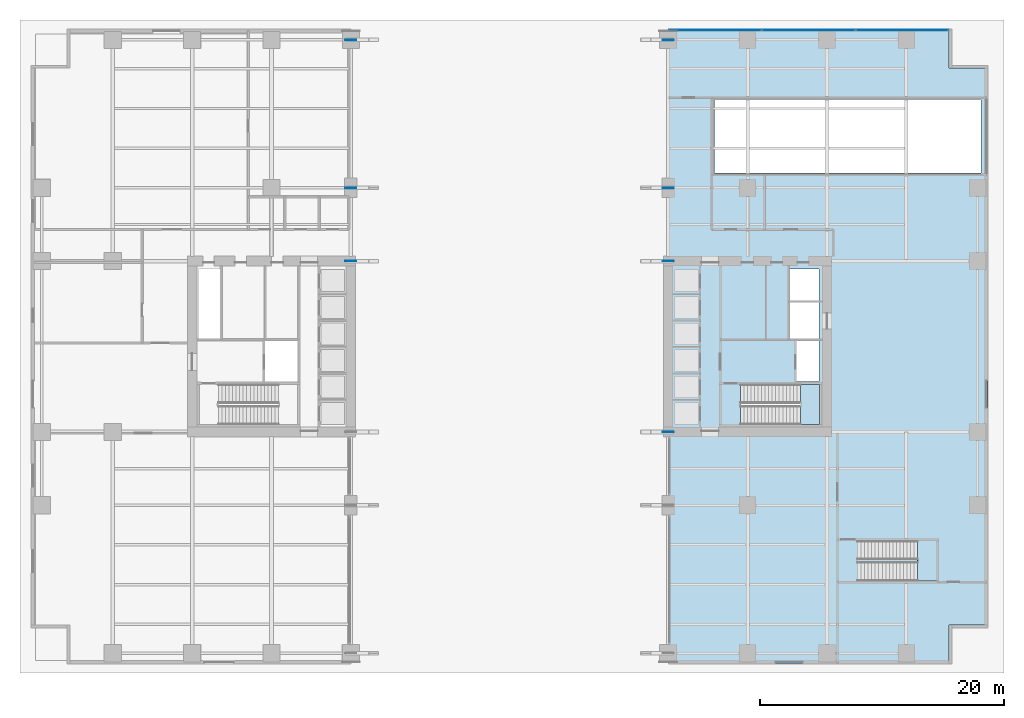
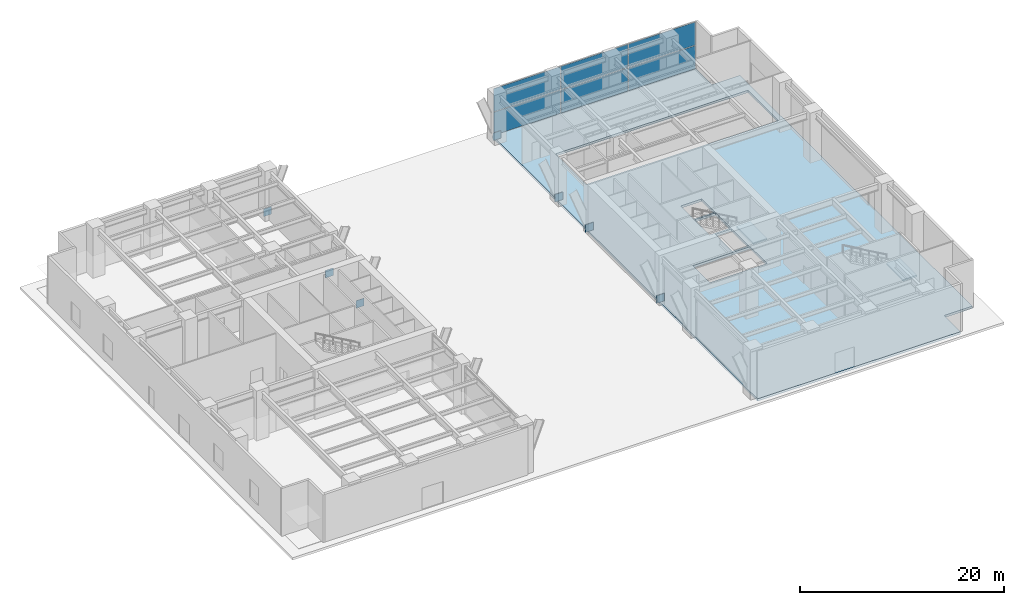
# One storey, part 11 of 20: 13 plates, 3 slabs, 3 elements without a shape of their own.
"""IFC4 building model written with IfcOpenShell, lengths in metres."""

from ifc_helpers import new_model, si_unit, direction, frame, origin, origin_2d, place, context, subcontext, project, spatial, polyline, rectangle, outline, extrude, material, layer, layer_set, type_object, element, aggregate, save


model = new_model("IFC4")

# Units and contexts
model_context = context("Model", 3, precision=1e-05, world=origin(), true_north=direction((0.0, 1.0)))
body_context = subcontext(model_context, "Body", "Model", "MODEL_VIEW")
ifc_project = project(units=[si_unit("LENGTHUNIT", "METRE"), si_unit("AREAUNIT", "SQUARE_METRE"), si_unit("VOLUMEUNIT", "CUBIC_METRE"), si_unit("PLANEANGLEUNIT", "RADIAN"), si_unit("MASSUNIT", "GRAM", prefix="KILO")], contexts=[model_context])

# Site, building, storey
site_placement = place(None, origin())
site = spatial("IfcSite", under=ifc_project, at=site_placement, CompositionType="ELEMENT")
building_placement = place(site_placement, origin())
building = spatial("IfcBuilding", under=site, at=building_placement, Name="Putna Gate Headquarters", CompositionType="ELEMENT")
storey_placement = place(building_placement, origin())
storey = spatial("IfcBuildingStorey", under=building, at=storey_placement, Name="L00", CompositionType="ELEMENT", Elevation=0.0)

# Stair, slab
ifc_material_1 = material(Name="Concrete C40/50", Category="concrete")
stair_type_1 = type_object("IfcStairType", Name="STAIR-ST2", PredefinedType="HALF_TURN_STAIR", material=ifc_material_1)
stair_1_placement = place(storey_placement, origin())
stair_1 = element("IfcStair", 1, at=stair_1_placement, inside=storey, type_object=stair_type_1, Name="L00 East Core Exit Stair ST2", PredefinedType="HALF_TURN_STAIR")
ifc_layer_1 = layer(ifc_material_1, 0.199951171875)
ifc_layer_set_1 = layer_set([ifc_layer_1], Name="Concrete C40/50")
slab_type_1 = type_object("IfcSlabType", Name="LANDING-ST2", PredefinedType="LANDING", material=ifc_layer_set_1)
slab_1_placement = place(storey_placement, frame((0.0, 0.0, 2.800048828125)))
slab_1 = element("IfcSlab", 2, at=slab_1_placement, type_object=slab_type_1, Name="ST2 landing 1", PredefinedType="LANDING", context=body_context, shape_type="SweptSolid", body=[
    extrude(outline(polyline([(62.830078125, 19.60009765625), (64.39990234375, 19.60009765625), (64.39990234375, 22.89990234375), (62.830078125, 22.89990234375), (62.830078125, 19.60009765625)])), origin(), (0.0, 0.0, 1.0), 0.199951171875),
])
aggregate(stair_1, [slab_1])

stair_type_2 = type_object("IfcStairType", Name="STAIR-ST3", PredefinedType="HALF_TURN_STAIR", material=ifc_material_1)
stair_2_placement = place(storey_placement, origin())
stair_2 = element("IfcStair", 3, at=stair_2_placement, inside=storey, type_object=stair_type_2, Name="L00 Podium Escape Stair ST3", PredefinedType="HALF_TURN_STAIR")
ifc_layer_2 = layer(ifc_material_1, 0.199951171875)
ifc_layer_set_2 = layer_set([ifc_layer_2], Name="Concrete C40/50")
slab_type_2 = type_object("IfcSlabType", Name="LANDING-ST3", PredefinedType="LANDING", material=ifc_layer_set_2)
slab_2_placement = place(storey_placement, frame((0.0, 0.0, 2.800048828125)))
slab_2 = element("IfcSlab", 4, at=slab_2_placement, type_object=slab_type_2, Name="ST3 landing 1", PredefinedType="LANDING", context=body_context, shape_type="SweptSolid", body=[
    extrude(outline(polyline([(72.429931640625, 6.800048828125), (74.0, 6.800048828125), (74.0, 10.10009765625), (72.429931640625, 10.10009765625), (72.429931640625, 6.800048828125)])), origin(), (0.0, 0.0, 1.0), 0.199951171875),
])
aggregate(stair_2, [slab_2])

# Curtain wall, plates
ifc_material_2 = material(Name="Anodised bronze aluminium curtain wall", Category="aluminium")
ifc_layer_3 = layer(ifc_material_2, 0.179931640625)
ifc_layer_set_3 = layer_set([ifc_layer_3], Name="Anodised bronze aluminium curtain wall")
curtain_wall_type = type_object("IfcCurtainWallType", Name="CW-SYS-POD", PredefinedType="USERDEFINED", material=ifc_layer_set_3)
curtain_wall_placement = place(storey_placement, origin())
curtain_wall = element("IfcCurtainWall", 5, at=curtain_wall_placement, inside=storey, type_object=curtain_wall_type, Name="L00 North East Curtain Wall", ObjectType="STICK CURTAIN WALL", PredefinedType="USERDEFINED")
ifc_material_3 = material(Name="Solar-control triple low-E glass", Category="glass")
ifc_layer_4 = layer(ifc_material_3, 0.035888671875)
ifc_layer_set_4 = layer_set([ifc_layer_4], Name="Solar-control triple low-E glass")
plate_type_1 = type_object("IfcPlateType", Name="PAN-CWP-P", PredefinedType="CURTAIN_PANEL", material=ifc_layer_set_4)
plate_1_placement = place(storey_placement, frame((55.850830078125, 51.919921875, 0.070068359375), z_axis=(0.0, 0.0, 1.0), x_axis=(1.0, 0.0, 0.0)))
plate_1 = element("IfcPlate", 6, at=plate_1_placement, type_object=plate_type_1, Name="CWS-P panel 1.1", PredefinedType="CURTAIN_PANEL", context=body_context, shape_type="SweptSolid", body=[
    extrude(rectangle(XDim=7.561767578125, YDim=0.035888671875, at=origin_2d()), origin(), (0.0, 0.0, 1.0), 2.7548828125),
])
plate_2_placement = place(storey_placement, frame((55.850830078125, 51.919921875, 2.89501953125), z_axis=(0.0, 0.0, 1.0), x_axis=(1.0, 0.0, 0.0)))
plate_2 = element("IfcPlate", 7, at=plate_2_placement, type_object=plate_type_1, Name="CWS-P panel 1.2", PredefinedType="CURTAIN_PANEL", context=body_context, shape_type="SweptSolid", body=[
    extrude(rectangle(XDim=7.561767578125, YDim=0.035888671875, at=origin_2d()), origin(), (0.0, 0.0, 1.0), 2.7548828125),
])
plate_3_placement = place(storey_placement, frame((63.5, 51.919921875, 0.070068359375), z_axis=(0.0, 0.0, 1.0), x_axis=(1.0, 0.0, 0.0)))
plate_3 = element("IfcPlate", 8, at=plate_3_placement, type_object=plate_type_1, Name="CWS-P panel 2.1", PredefinedType="CURTAIN_PANEL", context=body_context, shape_type="SweptSolid", body=[
    extrude(rectangle(XDim=7.5966796875, YDim=0.035888671875, at=origin_2d()), origin(), (0.0, 0.0, 1.0), 2.7548828125),
])
plate_4_placement = place(storey_placement, frame((63.5, 51.919921875, 2.89501953125), z_axis=(0.0, 0.0, 1.0), x_axis=(1.0, 0.0, 0.0)))
plate_4 = element("IfcPlate", 9, at=plate_4_placement, type_object=plate_type_1, Name="CWS-P panel 2.2", PredefinedType="CURTAIN_PANEL", context=body_context, shape_type="SweptSolid", body=[
    extrude(rectangle(XDim=7.5966796875, YDim=0.035888671875, at=origin_2d()), origin(), (0.0, 0.0, 1.0), 2.7548828125),
])
plate_5_placement = place(storey_placement, frame((71.149169921875, 51.919921875, 0.070068359375), z_axis=(0.0, 0.0, 1.0), x_axis=(1.0, 0.0, 0.0)))
plate_5 = element("IfcPlate", 10, at=plate_5_placement, type_object=plate_type_1, Name="CWS-P panel 3.1", PredefinedType="CURTAIN_PANEL", context=body_context, shape_type="SweptSolid", body=[
    extrude(rectangle(XDim=7.561767578125, YDim=0.035888671875, at=origin_2d()), origin(), (0.0, 0.0, 1.0), 2.7548828125),
])
plate_6_placement = place(storey_placement, frame((71.149169921875, 51.919921875, 2.89501953125), z_axis=(0.0, 0.0, 1.0), x_axis=(1.0, 0.0, 0.0)))
plate_6 = element("IfcPlate", 11, at=plate_6_placement, type_object=plate_type_1, Name="CWS-P panel 3.2", PredefinedType="CURTAIN_PANEL", context=body_context, shape_type="SweptSolid", body=[
    extrude(rectangle(XDim=7.561767578125, YDim=0.035888671875, at=origin_2d()), origin(), (0.0, 0.0, 1.0), 2.7548828125),
])
aggregate(curtain_wall, [plate_1, plate_2, plate_3, plate_4, plate_5, plate_6])

# Plates
ifc_material_4 = material(Name="Steel S460M", Category="steel")
ifc_layer_5 = layer(ifc_material_4, 0.0400390625)
ifc_layer_set_5 = layer_set([ifc_layer_5], Name="Steel S460M")
plate_type_2 = type_object("IfcPlateType", Name="PLT-NODE-AN1", PredefinedType="SHEET", material=ifc_layer_set_5)
for number, where, z_axis, x_axis, name in (
    (12, (26.0, 51.1201171875, 0.10009765625), (0.0, 0.0, 1.0), (1.0, 0.0, 0.0), "Giant Arch Springing Node Plate AN1 N-W"),
    (13, (52.0, 51.1201171875, 0.10009765625), (0.0, 0.0, 1.0), (1.0, 0.0, 0.0), "Giant Arch Springing Node Plate AN1 N-E"),
):
    element("IfcPlate", number, at=place(storey_placement, frame(where, z_axis=z_axis, x_axis=x_axis)), inside=storey, type_object=plate_type_2, Name=name, PredefinedType="SHEET", context=body_context, shape_type="SweptSolid", body=[
        extrude(rectangle(XDim=0.89990234375, YDim=0.0400390625, at=origin_2d()), origin(), (0.0, 0.0, 1.0), 0.89990234375),
    ])
ifc_layer_6 = layer(ifc_material_4, 0.0400390625)
ifc_layer_set_6 = layer_set([ifc_layer_6], Name="Steel S460M")
plate_type_3 = type_object("IfcPlateType", Name="PLT-NODE-AN1-INT", PredefinedType="SHEET", material=ifc_layer_set_6)
for number, where, z_axis, x_axis, name in (
    (14, (52.0, 19.0, 0.10009765625), (0.0, 0.0, 1.0), (1.0, 0.0, 0.0), "Giant Arch Springing Node Plate AN1 AS-E"),
    (15, (26.0, 33.0, 0.10009765625), (0.0, 0.0, 1.0), (1.0, 0.0, 0.0), "Giant Arch Springing Node Plate AN1 AN-W"),
    (16, (52.0, 33.0, 0.10009765625), (0.0, 0.0, 1.0), (1.0, 0.0, 0.0), "Giant Arch Springing Node Plate AN1 AN-E"),
    (17, (26.0, 39.0, 0.10009765625), (0.0, 0.0, 1.0), (1.0, 0.0, 0.0), "Giant Arch Springing Node Plate AN1 CN-W"),
    (18, (52.0, 39.0, 0.10009765625), (0.0, 0.0, 1.0), (1.0, 0.0, 0.0), "Giant Arch Springing Node Plate AN1 CN-E"),
):
    element("IfcPlate", number, at=place(storey_placement, frame(where, z_axis=z_axis, x_axis=x_axis)), inside=storey, type_object=plate_type_3, Name=name, PredefinedType="SHEET", context=body_context, shape_type="SweptSolid", body=[
        extrude(rectangle(XDim=0.89990234375, YDim=0.0400390625, at=origin_2d()), origin(), (0.0, 0.0, 1.0), 0.89990234375),
    ])

# Slab
ifc_layer_7 = layer(ifc_material_1, 0.280029296875)
ifc_layer_set_7 = layer_set([ifc_layer_7], Name="Concrete C40/50")
slab_type_3 = type_object("IfcSlabType", Name="SLAB-POD-280", PredefinedType="FLOOR", material=ifc_layer_set_7)
slab_3_placement = place(storey_placement, frame((0.0, 0.0, -0.280029296875)))
element("IfcSlab", 19, at=slab_3_placement, inside=storey, type_object=slab_type_3, Name="L00 East Podium Wing Floor Slab", PredefinedType="FLOOR", context=body_context, shape_type="SweptSolid", body=[
    extrude(outline(polyline([(52.0, 0.0), (75.0, 0.0), (75.0, 3.199951171875), (78.199951171875, 3.199951171875), (78.199951171875, 48.800048828125), (75.0, 48.800048828125), (75.0, 52.0), (52.0, 52.0), (52.0, 0.0)]), holes=[polyline([(57.9150390625, 19.60009765625), (64.39990234375, 19.60009765625), (64.39990234375, 22.89990234375), (57.9150390625, 22.89990234375), (57.9150390625, 19.60009765625)]), polyline([(55.800048828125, 40.199951171875), (77.60009765625, 40.199951171875), (77.60009765625, 46.199951171875), (55.800048828125, 46.199951171875), (55.800048828125, 40.199951171875)]), polyline([(61.969970703125, 29.780029296875), (64.35009765625, 29.780029296875), (64.35009765625, 32.35009765625), (61.969970703125, 32.35009765625), (61.969970703125, 29.780029296875)]), polyline([(62.52001953125, 23.1201171875), (64.35009765625, 23.1201171875), (64.35009765625, 26.4599609375), (62.52001953125, 26.4599609375), (62.52001953125, 23.1201171875)]), polyline([(61.969970703125, 26.659912109375), (64.35009765625, 26.659912109375), (64.35009765625, 29.6201171875), (61.969970703125, 29.6201171875), (61.969970703125, 26.659912109375)])]), origin(), (0.0, 0.0, 1.0), 0.280029296875),
])

save(model, "model.ifc")
